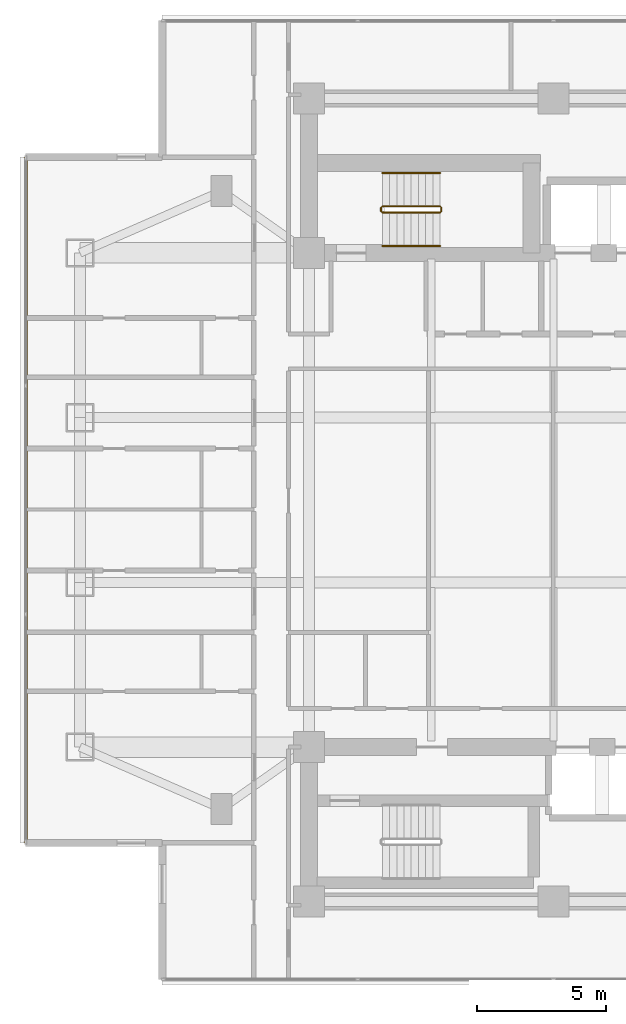
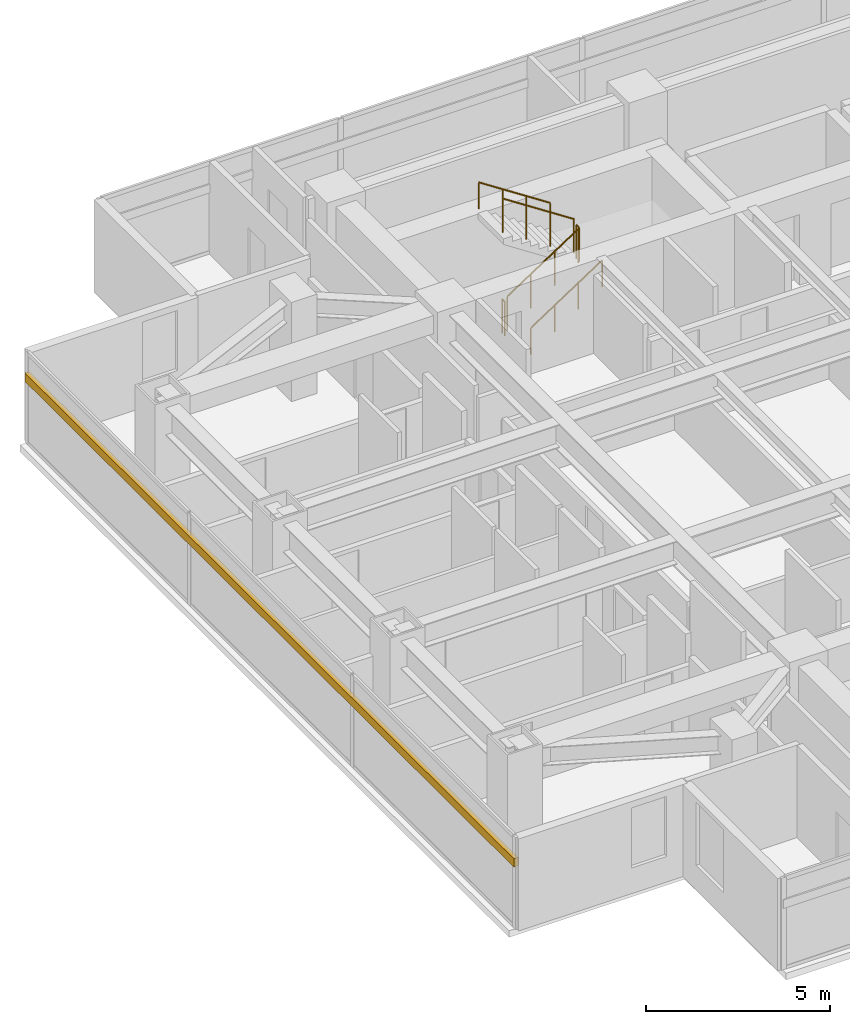
# One storey, part 24 of 28: 6 railings, 1 shading device.
"""IFC4 building model written with IfcOpenShell, lengths in metres."""

from ifc_helpers import new_model, si_unit, direction, frame, origin, origin_2d, place, context, subcontext, project, spatial, rectangle, circle, extrude, material, material_profile, profile_set, type_object, element, save


model = new_model("IFC4")

# Units and contexts
model_context = context("Model", 3, precision=1e-05, world=origin(), true_north=direction((0.0, 1.0)))
body_context = subcontext(model_context, "Body", "Model", "MODEL_VIEW")
ifc_project = project(units=[si_unit("LENGTHUNIT", "METRE"), si_unit("AREAUNIT", "SQUARE_METRE"), si_unit("VOLUMEUNIT", "CUBIC_METRE"), si_unit("PLANEANGLEUNIT", "RADIAN"), si_unit("MASSUNIT", "GRAM", prefix="KILO")], contexts=[model_context])

# Site, building, storey
site_placement = place(None, origin())
site = spatial("IfcSite", under=ifc_project, at=site_placement, CompositionType="ELEMENT")
building_placement = place(site_placement, origin())
building = spatial("IfcBuilding", under=site, at=building_placement, Name="Mirazonda Arch Towers", CompositionType="ELEMENT")
storey_placement = place(building_placement, frame((0.0, 0.0, 91.699951171875)))
storey = spatial("IfcBuildingStorey", under=building, at=storey_placement, Name="L25", CompositionType="ELEMENT", Elevation=91.699951171875)

# Shading device
ifc_material_1 = material(Name="Kiln-Fired Architectural Terracotta", Category="masonry")
ifc_material_profile = material_profile(ifc_material_1, rectangle(XDim=0.139892578125, YDim=0.280029296875, at=origin_2d()), Name="TERRA-BAG-140x280")
ifc_profile_set = profile_set([ifc_material_profile], Name="Kiln-Fired Architectural Terracotta")
shading_device_type = type_object("IfcShadingDeviceType", Name="BAGUETTE-3", PredefinedType="USERDEFINED", material=ifc_profile_set)
shading_device_placement = place(storey_placement, frame((-0.010009765625, 41.322998046875, 2.203369140625), z_axis=(0.0, -1.0, 0.0), x_axis=(1.0, 0.0, 0.0)))
element("IfcShadingDevice", 1, at=shading_device_placement, inside=storey, type_object=shading_device_type, Name="L25 Glazed Terracotta Sun-Screen Baguette CW-L25-T1-W", ObjectType="BAGUETTE", PredefinedType="USERDEFINED", context=body_context, shape_type="SweptSolid", body=[
    extrude(rectangle(XDim=0.139892578125, YDim=0.280029296875, at=origin_2d()), origin(), (0.0, 0.0, 1.0), 26.64599609375),
])

# Railings
ifc_material_2 = material(Name="Architectural Brushed Steel S355", Category="steel")
railing_type_1 = type_object("IfcRailingType", Name="GUARD-STAIR-1120", PredefinedType="GUARDRAIL", material=ifc_material_2)
railing_1_placement = place(storey_placement, frame((13.85009765625, 39.169921875, 0.183349609375)))
element("IfcRailing", 2, at=railing_1_placement, inside=storey, type_object=railing_type_1, Name="L25 ST-T1N stair guard 1", PredefinedType="GUARDRAIL", context=body_context, shape_type="SweptSolid", body=[
    extrude(circle(Radius=0.02392578125, at=origin_2d()), frame((0.0, 0.0, 1.1259765625), z_axis=(0.836595146698, 0.0, 0.547821650285), x_axis=(0.0, 1.0, 0.0)), (0.0, 0.0, 1.0), 2.677490234375),
    extrude(circle(Radius=0.02099609375, at=origin_2d()), origin(), (0.0, 0.0, 1.0), 1.101806640625),
    extrude(circle(Radius=0.02099609375, at=origin_2d()), frame((0.74658203125, 0.0, 0.489013671875)), (0.0, 0.0, 1.0), 1.101806640625),
    extrude(circle(Radius=0.02099609375, at=origin_2d()), frame((1.493408203125, 0.0, 0.977783203125)), (0.0, 0.0, 1.0), 1.101806640625),
    extrude(circle(Radius=0.02099609375, at=origin_2d()), frame((2.239990234375, 0.0, 1.466796875)), (0.0, 0.0, 1.0), 1.101806640625),
])
railing_2_placement = place(storey_placement, frame((16.139892578125, 39.219970703125, 1.650146484375)))
element("IfcRailing", 3, at=railing_2_placement, inside=storey, type_object=railing_type_1, Name="L25 ST-T1N stair guard 2", PredefinedType="GUARDRAIL", context=body_context, shape_type="SweptSolid", body=[
    extrude(circle(Radius=0.02392578125, at=origin_2d()), frame((0.0, 0.0, 1.1259765625), z_axis=(0.0, 1.0, 0.0), x_axis=(-1.0, 0.0, 0.0)), (0.0, 0.0, 1.0), 0.14013671875),
    extrude(circle(Radius=0.02099609375, at=origin_2d()), origin(), (0.0, 0.0, 1.0), 1.101806640625),
    extrude(circle(Radius=0.02099609375, at=origin_2d()), frame((0.0, 0.14013671875, 0.0)), (0.0, 0.0, 1.0), 1.101806640625),
])
railing_3_placement = place(storey_placement, frame((16.090087890625, 39.409912109375, 1.83349609375)))
element("IfcRailing", 4, at=railing_3_placement, inside=storey, type_object=railing_type_1, Name="L25 ST-T1N stair guard 3", PredefinedType="GUARDRAIL", context=body_context, shape_type="SweptSolid", body=[
    extrude(circle(Radius=0.02392578125, at=origin_2d()), frame((0.0, 0.0, 1.1259765625), z_axis=(-0.836636935527, 0.0, 0.547757827979), x_axis=(0.0, -1.0, 0.0)), (0.0, 0.0, 1.0), 2.677490234375),
    extrude(circle(Radius=0.02099609375, at=origin_2d()), origin(), (0.0, 0.0, 1.0), 1.101806640625),
    extrude(circle(Radius=0.02099609375, at=origin_2d()), frame((-0.74658203125, 0.0, 0.48876953125)), (0.0, 0.0, 1.0), 1.101806640625),
    extrude(circle(Radius=0.02099609375, at=origin_2d()), frame((-1.493408203125, 0.0, 0.977783203125)), (0.0, 0.0, 1.0), 1.101806640625),
    extrude(circle(Radius=0.02099609375, at=origin_2d()), frame((-2.239990234375, 0.0, 1.466552734375)), (0.0, 0.0, 1.0), 1.101806640625),
])
railing_4_placement = place(storey_placement, frame((13.800048828125, 39.219970703125, 0.0)))
element("IfcRailing", 5, at=railing_4_placement, inside=storey, type_object=railing_type_1, Name="L25 ST-T1N stair guard 4", PredefinedType="GUARDRAIL", context=body_context, shape_type="SweptSolid", body=[
    extrude(circle(Radius=0.02392578125, at=origin_2d()), frame((0.0, 0.0, 1.1259765625), z_axis=(0.0, 1.0, 0.0), x_axis=(-1.0, 0.0, 0.0)), (0.0, 0.0, 1.0), 0.14013671875),
    extrude(circle(Radius=0.02099609375, at=origin_2d()), origin(), (0.0, 0.0, 1.0), 1.101806640625),
    extrude(circle(Radius=0.02099609375, at=origin_2d()), frame((0.0, 0.14013671875, 0.0)), (0.0, 0.0, 1.0), 1.101806640625),
])
railing_type_2 = type_object("IfcRailingType", Name="HANDRAIL-915", PredefinedType="HANDRAIL", material=ifc_material_2)
railing_5_placement = place(storey_placement, frame((13.85009765625, 37.8701171875, 0.183349609375)))
element("IfcRailing", 6, at=railing_5_placement, inside=storey, type_object=railing_type_2, Name="L25 ST-T1N stair handrail 1", PredefinedType="HANDRAIL", context=body_context, shape_type="SweptSolid", body=[
    extrude(circle(Radius=0.02392578125, at=origin_2d()), frame((0.0, 0.0, 0.8759765625), z_axis=(0.836595146698, 0.0, 0.547821650285), x_axis=(0.0, 1.0, 0.0)), (0.0, 0.0, 1.0), 2.677490234375),
    extrude(circle(Radius=0.02099609375, at=origin_2d()), origin(), (0.0, 0.0, 1.0), 0.851806640625),
    extrude(circle(Radius=0.02099609375, at=origin_2d()), frame((0.74658203125, 0.0, 0.489013671875)), (0.0, 0.0, 1.0), 0.851806640625),
    extrude(circle(Radius=0.02099609375, at=origin_2d()), frame((1.493408203125, 0.0, 0.977783203125)), (0.0, 0.0, 1.0), 0.851806640625),
    extrude(circle(Radius=0.02099609375, at=origin_2d()), frame((2.239990234375, 0.0, 1.466796875)), (0.0, 0.0, 1.0), 0.851806640625),
])
railing_6_placement = place(storey_placement, frame((16.090087890625, 40.7099609375, 1.83349609375)))
element("IfcRailing", 7, at=railing_6_placement, inside=storey, type_object=railing_type_2, Name="L25 ST-T1N stair handrail 2", PredefinedType="HANDRAIL", context=body_context, shape_type="SweptSolid", body=[
    extrude(circle(Radius=0.02392578125, at=origin_2d()), frame((0.0, 0.0, 0.8759765625), z_axis=(-0.836636935527, 0.0, 0.547757827979), x_axis=(0.0, -1.0, 0.0)), (0.0, 0.0, 1.0), 2.677490234375),
    extrude(circle(Radius=0.02099609375, at=origin_2d()), origin(), (0.0, 0.0, 1.0), 0.851806640625),
    extrude(circle(Radius=0.02099609375, at=origin_2d()), frame((-0.74658203125, 0.0, 0.48876953125)), (0.0, 0.0, 1.0), 0.851806640625),
    extrude(circle(Radius=0.02099609375, at=origin_2d()), frame((-1.493408203125, 0.0, 0.977783203125)), (0.0, 0.0, 1.0), 0.851806640625),
    extrude(circle(Radius=0.02099609375, at=origin_2d()), frame((-2.239990234375, 0.0, 1.466552734375)), (0.0, 0.0, 1.0), 0.851806640625),
])

save(model, "model.ifc")
